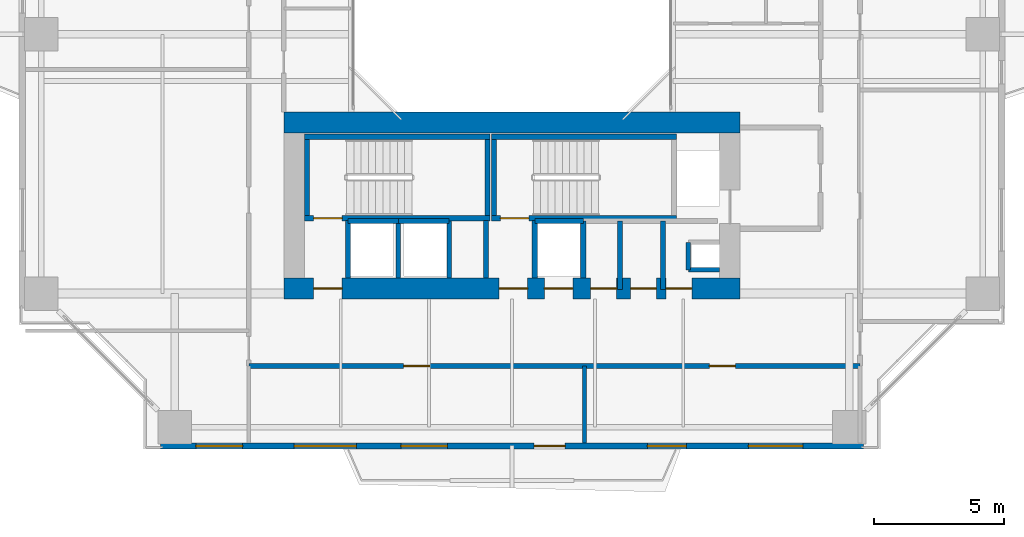
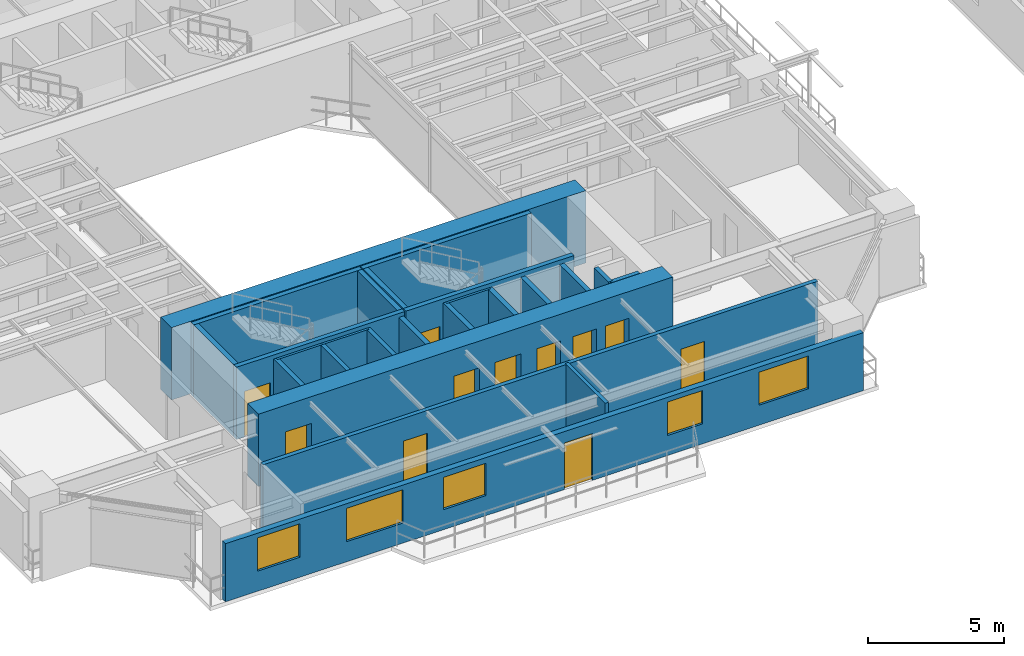
# One storey, part 12 of 23: 25 walls, 11 doors, 5 windows, 16 openings.
"""IFC4 building model written with IfcOpenShell, lengths in metres."""

from ifc_helpers import new_model, si_unit, direction, frame, frame_2d, origin, place, context, subcontext, project, spatial, rectangle, extrude, source, transform, mapped, material, layer, layer_set, type_object, element, fill, save


model = new_model("IFC4")

# Units and contexts
model_context = context("Model", 3, precision=1e-05, world=origin(), true_north=direction((0.0, 1.0)))
body_context = subcontext(model_context, "Body", "Model", "MODEL_VIEW")
ifc_project = project(units=[si_unit("LENGTHUNIT", "METRE"), si_unit("AREAUNIT", "SQUARE_METRE"), si_unit("VOLUMEUNIT", "CUBIC_METRE"), si_unit("PLANEANGLEUNIT", "RADIAN"), si_unit("MASSUNIT", "GRAM", prefix="KILO"), si_unit("THERMODYNAMICTEMPERATUREUNIT", "KELVIN"), si_unit("POWERUNIT", "WATT")], contexts=[model_context])

# Site, building, storey
site_placement = place(None, origin())
site = spatial("IfcSite", under=ifc_project, at=site_placement, CompositionType="ELEMENT")
building_placement = place(site_placement, origin())
building = spatial("IfcBuilding", under=site, at=building_placement, Name="Qiaomeng Ring Towers", CompositionType="ELEMENT")
storey_placement = place(building_placement, frame((0.0, 0.0, 82.75)))
storey = spatial("IfcBuildingStorey", under=building, at=storey_placement, Name="L23", CompositionType="ELEMENT", Elevation=82.75)

# Wall, openings, windows, door
ifc_material_1 = material(Name="Precast concrete C40", Category="concrete")
ifc_layer_1 = layer(ifc_material_1, 0.25, Name="Precast concrete C40")
ifc_layer_set_1 = layer_set([ifc_layer_1], Name="Precast concrete C40")
wall_type_1 = type_object("IfcWallType", Name="ARC-WL-EW1", PredefinedType="STANDARD", material=ifc_layer_set_1)
wall_1_placement = place(storey_placement, frame((5.449951171875, 4.125, 0.0), z_axis=(0.0, 0.0, 1.0), x_axis=(1.0, 0.0, 0.0)))
wall_1 = element("IfcWall", 1, at=wall_1_placement, inside=storey, type_object=wall_type_1, Name="L23 Tower 1 S Exterior Wall", PredefinedType="STANDARD", context=body_context, shape_type="SweptSolid", body=[
    extrude(rectangle(XDim=27.10009765625, YDim=0.25, at=frame_2d((13.550048828125, 0.0))), origin(), (0.0, 0.0, 1.0), 2.610107421875),
])
opening_1_placement = place(wall_1_placement, frame((14.39990234375, 0.0, 0.0)))
opening_1 = element("IfcOpeningElement", 2, at=opening_1_placement, cuts=wall_1, Name="Opening BD1", PredefinedType="OPENING", context=body_context, shape_type="SweptSolid", body=[
    extrude(rectangle(XDim=1.199951171875, YDim=2.10009765625, at=frame_2d((0.60009765625, 1.050048828125))), frame((0.0, 0.135009765625, 0.0), z_axis=(0.0, -1.0, 0.0), x_axis=(1.0, 0.0, 0.0)), (0.0, 0.0, 1.0), 0.27001953125),
])
opening_2_placement = place(wall_1_placement, frame((1.364990234375, 0.0, 0.89990234375)))
opening_2 = element("IfcOpeningElement", 3, at=opening_2_placement, cuts=wall_1, Name="Opening WN1", PredefinedType="OPENING", context=body_context, shape_type="SweptSolid", body=[
    extrude(rectangle(XDim=1.800048828125, YDim=1.5, at=frame_2d((0.89990234375, 0.75))), frame((0.0, 0.135009765625, 0.0), z_axis=(0.0, -1.0, 0.0), x_axis=(1.0, 0.0, 0.0)), (0.0, 0.0, 1.0), 0.27001953125),
])
opening_3_placement = place(wall_1_placement, frame((9.262939453125, 0.0, 0.89990234375)))
opening_3 = element("IfcOpeningElement", 4, at=opening_3_placement, cuts=wall_1, Name="Opening WN1", PredefinedType="OPENING", context=body_context, shape_type="SweptSolid", body=[
    extrude(rectangle(XDim=1.800048828125, YDim=1.449951171875, at=frame_2d((0.89990234375, 0.72509765625))), frame((0.0, 0.135009765625, 0.0), z_axis=(0.0, -1.0, 0.0), x_axis=(1.0, 0.0, 0.0)), (0.0, 0.0, 1.0), 0.27001953125),
])
opening_4_placement = place(wall_1_placement, frame((18.77392578125, 0.0, 0.89990234375)))
opening_4 = element("IfcOpeningElement", 5, at=opening_4_placement, cuts=wall_1, Name="Opening WN2", PredefinedType="OPENING", context=body_context, shape_type="SweptSolid", body=[
    extrude(rectangle(XDim=1.5, YDim=1.5, at=frame_2d((0.75, 0.75))), frame((0.0, 0.135009765625, 0.0), z_axis=(0.0, -1.0, 0.0), x_axis=(1.0, 0.0, 0.0)), (0.0, 0.0, 1.0), 0.27001953125),
])
opening_5_placement = place(wall_1_placement, frame((22.6630859375, 0.0, 0.89990234375)))
opening_5 = element("IfcOpeningElement", 6, at=opening_5_placement, cuts=wall_1, Name="Opening WN4", PredefinedType="OPENING", context=body_context, shape_type="SweptSolid", body=[
    extrude(rectangle(XDim=2.10009765625, YDim=1.47998046875, at=frame_2d((1.050048828125, 0.739990234375))), frame((0.0, 0.135009765625, 0.0), z_axis=(0.0, -1.0, 0.0), x_axis=(1.0, 0.0, 0.0)), (0.0, 0.0, 1.0), 0.27001953125),
])
opening_6_placement = place(wall_1_placement, frame((5.14892578125, 0.0, 0.89990234375)))
opening_6 = element("IfcOpeningElement", 7, at=opening_6_placement, cuts=wall_1, Name="Opening WN6", PredefinedType="OPENING", context=body_context, shape_type="SweptSolid", body=[
    extrude(rectangle(XDim=2.39990234375, YDim=1.5, at=frame_2d((1.199951171875, 0.75))), frame((0.0, 0.135009765625, 0.0), z_axis=(0.0, -1.0, 0.0), x_axis=(1.0, 0.0, 0.0)), (0.0, 0.0, 1.0), 0.27001953125),
])
ifc_material_2 = material(Name="Low-E dark-grey laminated double glazing", Category="glass")
window_type_1 = type_object("IfcWindowType", Name="ARC-WN-4", PartitioningType="TRIPLE_PANEL_VERTICAL", PredefinedType="WINDOW", material=ifc_material_2)
shared_shape_1 = source(origin(), body_context, "Body", "SweptSolid", [
    extrude(rectangle(XDim=2.10009765625, YDim=1.47998046875, at=frame_2d((1.050048828125, 0.739990234375))), frame((0.0, 0.030029296875, 0.0), z_axis=(0.0, -1.0, 0.0), x_axis=(1.0, 0.0, 0.0)), (0.0, 0.0, 1.0), 0.06005859375),
])
window_1_placement = place(opening_5_placement, origin())
window_1 = element("IfcWindow", 8, at=window_1_placement, inside=storey, type_object=window_type_1, Name="L23 Exterior Window WN4", OverallHeight=1.47998046875, OverallWidth=2.10009765625, PartitioningType="TRIPLE_PANEL_VERTICAL", PredefinedType="WINDOW", context=body_context, shape_type="MappedRepresentation", body=[
    mapped(shared_shape_1, transform((0.0, 0.0, 0.0), x_axis=(1.0, 0.0, 0.0), y_axis=(0.0, 1.0, 0.0), z_axis=(0.0, 0.0, 1.0), scale=1.0)),
])
fill(opening_5, window_1)
window_type_2 = type_object("IfcWindowType", Name="ARC-WN-1", PartitioningType="DOUBLE_PANEL_VERTICAL", PredefinedType="WINDOW", material=ifc_material_2)
shared_shape_2 = source(origin(), body_context, "Body", "SweptSolid", [
    extrude(rectangle(XDim=1.800048828125, YDim=1.449951171875, at=frame_2d((0.89990234375, 0.72509765625))), frame((0.0, 0.030029296875, 0.0), z_axis=(0.0, -1.0, 0.0), x_axis=(1.0, 0.0, 0.0)), (0.0, 0.0, 1.0), 0.06005859375),
])
window_2_placement = place(opening_3_placement, origin())
window_2 = element("IfcWindow", 9, at=window_2_placement, inside=storey, type_object=window_type_2, Name="L23 Exterior Window WN1", OverallHeight=1.449951171875, OverallWidth=1.800048828125, PartitioningType="DOUBLE_PANEL_VERTICAL", PredefinedType="WINDOW", context=body_context, shape_type="MappedRepresentation", body=[
    mapped(shared_shape_2, transform((0.0, 0.0, 0.0), x_axis=(1.0, 0.0, 0.0), y_axis=(0.0, 1.0, 0.0), z_axis=(0.0, 0.0, 1.0), scale=1.0)),
])
fill(opening_3, window_2)
door_type_1 = type_object("IfcDoorType", Name="ARC-DR-BD1", OperationType="NOTDEFINED", PredefinedType="DOOR", material=ifc_material_2)
shared_shape_3 = source(origin(), body_context, "Body", "SweptSolid", [
    extrude(rectangle(XDim=1.199951171875, YDim=2.10009765625, at=frame_2d((0.60009765625, 1.050048828125))), frame((0.0, 0.02490234375, 0.0), z_axis=(0.0, -1.0, 0.0), x_axis=(1.0, 0.0, 0.0)), (0.0, 0.0, 1.0), 0.050048828125),
])
door_1_placement = place(opening_1_placement, frame((1.199951171875, 0.0, 0.0), z_axis=(0.0, 0.0, 1.0), x_axis=(-1.0, 0.0, 0.0)))
door_1 = element("IfcDoor", 10, at=door_1_placement, inside=storey, type_object=door_type_1, Name="L23 S Balcony Glazed Door", OperationType="SINGLE_SWING_LEFT", OverallHeight=2.10009765625, OverallWidth=1.199951171875, PredefinedType="DOOR", context=body_context, shape_type="MappedRepresentation", body=[
    mapped(shared_shape_3, transform((0.0, 0.0, 0.0), x_axis=(1.0, 0.0, 0.0), y_axis=(0.0, 1.0, 0.0), z_axis=(0.0, 0.0, 1.0), scale=1.0)),
])
fill(opening_1, door_1)
window_type_3 = type_object("IfcWindowType", Name="ARC-WN-2", PartitioningType="DOUBLE_PANEL_VERTICAL", PredefinedType="WINDOW", material=ifc_material_2)
shared_shape_4 = source(origin(), body_context, "Body", "SweptSolid", [
    extrude(rectangle(XDim=1.5, YDim=1.5, at=frame_2d((0.75, 0.75))), frame((0.0, 0.030029296875, 0.0), z_axis=(0.0, -1.0, 0.0), x_axis=(1.0, 0.0, 0.0)), (0.0, 0.0, 1.0), 0.06005859375),
])
window_3_placement = place(opening_4_placement, origin())
window_3 = element("IfcWindow", 11, at=window_3_placement, inside=storey, type_object=window_type_3, Name="L23 Exterior Window WN2", OverallHeight=1.5, OverallWidth=1.5, PartitioningType="DOUBLE_PANEL_VERTICAL", PredefinedType="WINDOW", context=body_context, shape_type="MappedRepresentation", body=[
    mapped(shared_shape_4, transform((0.0, 0.0, 0.0), x_axis=(1.0, 0.0, 0.0), y_axis=(0.0, 1.0, 0.0), z_axis=(0.0, 0.0, 1.0), scale=1.0)),
])
fill(opening_4, window_3)
window_type_4 = type_object("IfcWindowType", Name="ARC-WN-6", PartitioningType="TRIPLE_PANEL_VERTICAL", PredefinedType="WINDOW", material=ifc_material_2)
shared_shape_5 = source(origin(), body_context, "Body", "SweptSolid", [
    extrude(rectangle(XDim=2.39990234375, YDim=1.5, at=frame_2d((1.199951171875, 0.75))), frame((0.0, 0.030029296875, 0.0), z_axis=(0.0, -1.0, 0.0), x_axis=(1.0, 0.0, 0.0)), (0.0, 0.0, 1.0), 0.06005859375),
])
window_4_placement = place(opening_6_placement, origin())
window_4 = element("IfcWindow", 12, at=window_4_placement, inside=storey, type_object=window_type_4, Name="L23 Exterior Window WN6", OverallHeight=1.5, OverallWidth=2.39990234375, PartitioningType="TRIPLE_PANEL_VERTICAL", PredefinedType="WINDOW", context=body_context, shape_type="MappedRepresentation", body=[
    mapped(shared_shape_5, transform((0.0, 0.0, 0.0), x_axis=(1.0, 0.0, 0.0), y_axis=(0.0, 1.0, 0.0), z_axis=(0.0, 0.0, 1.0), scale=1.0)),
])
fill(opening_6, window_4)
shared_shape_6 = source(origin(), body_context, "Body", "SweptSolid", [
    extrude(rectangle(XDim=1.800048828125, YDim=1.5, at=frame_2d((0.89990234375, 0.75))), frame((0.0, 0.030029296875, 0.0), z_axis=(0.0, -1.0, 0.0), x_axis=(1.0, 0.0, 0.0)), (0.0, 0.0, 1.0), 0.06005859375),
])
window_5_placement = place(opening_2_placement, origin())
window_5 = element("IfcWindow", 13, at=window_5_placement, inside=storey, type_object=window_type_2, Name="L23 Exterior Window WN6", OverallHeight=1.5, OverallWidth=1.800048828125, PartitioningType="TRIPLE_PANEL_VERTICAL", PredefinedType="WINDOW", context=body_context, shape_type="MappedRepresentation", body=[
    mapped(shared_shape_6, transform((0.0, 0.0, 0.0), x_axis=(1.0, 0.0, 0.0), y_axis=(0.0, 1.0, 0.0), z_axis=(0.0, 0.0, 1.0), scale=1.0)),
])
fill(opening_2, window_5)

# Walls
ifc_material_3 = material(Name="Autoclaved aerated concrete block", Category="concrete")
ifc_layer_2 = layer(ifc_material_3, 0.199951171875, Name="Autoclaved aerated concrete block")
ifc_layer_set_2 = layer_set([ifc_layer_2], Name="Autoclaved aerated concrete block")
wall_type_2 = type_object("IfcWallType", Name="ARC-WL-PW1", PredefinedType="PARTITIONING", material=ifc_layer_set_2)
for number, where, z_axis, x_axis, name in (
    (14, (12.679931640625, 10.60009765625, 0.0), (0.0, 0.0, 1.0), (0.0, 1.0, 0.0), "L23 Interior Wall PW1"),
    (15, (18.0, 10.60009765625, 0.0), (0.0, 0.0, 1.0), (0.0, 1.0, 0.0), "L23 Interior Wall PW1"),
    (16, (19.8798828125, 10.60009765625, 0.0), (0.0, 0.0, 1.0), (0.0, 1.0, 0.0), "L23 Interior Wall PW1"),
):
    element("IfcWall", number, at=place(storey_placement, frame(where, z_axis=z_axis, x_axis=x_axis)), inside=storey, type_object=wall_type_2, Name=name, PredefinedType="PARTITIONING", context=body_context, shape_type="SweptSolid", body=[
        extrude(rectangle(XDim=2.2099609375, YDim=0.199951171875, at=frame_2d((1.10498046875, 0.0))), origin(), (0.0, 0.0, 1.0), 3.070068359375),
    ])
wall_2_placement = place(storey_placement, frame((24.820068359375, 10.14990234375, 0.0), z_axis=(0.0, 0.0, 1.0), x_axis=(0.0, 1.0, 0.0)))
element("IfcWall", 17, at=wall_2_placement, inside=storey, type_object=wall_type_2, Name="L23 Interior Wall PW1", PredefinedType="PARTITIONING", context=body_context, shape_type="SweptSolid", body=[
    extrude(rectangle(XDim=2.650146484375, YDim=0.199951171875, at=frame_2d((1.3251953125, 0.0))), origin(), (0.0, 0.0, 1.0), 3.070068359375),
])
wall_3_placement = place(storey_placement, frame((21.75, 10.60009765625, 0.0), z_axis=(0.0, 0.0, 1.0), x_axis=(0.0, 1.0, 0.0)))
element("IfcWall", 18, at=wall_3_placement, inside=storey, type_object=wall_type_2, Name="L23 Interior Wall PW1", PredefinedType="PARTITIONING", context=body_context, shape_type="SweptSolid", body=[
    extrude(rectangle(XDim=2.199951171875, YDim=0.199951171875, at=frame_2d((1.10009765625, 0.0))), origin(), (0.0, 0.0, 1.0), 3.070068359375),
])
wall_4_placement = place(storey_placement, frame((23.169921875, 10.14990234375, 0.0), z_axis=(0.0, 0.0, 1.0), x_axis=(0.0, 1.0, 0.0)))
element("IfcWall", 19, at=wall_4_placement, inside=storey, type_object=wall_type_2, Name="L23 Interior Wall PW1", PredefinedType="PARTITIONING", context=body_context, shape_type="SweptSolid", body=[
    extrude(rectangle(XDim=2.650146484375, YDim=0.199951171875, at=frame_2d((1.3251953125, 0.0))), origin(), (0.0, 0.0, 1.0), 3.070068359375),
])

# Wall, openings, doors
ifc_layer_3 = layer(ifc_material_3, 0.179931640625, Name="Autoclaved aerated concrete block")
ifc_layer_set_3 = layer_set([ifc_layer_3], Name="Autoclaved aerated concrete block")
wall_type_3 = type_object("IfcWallType", Name="ARC-WL-PW2", PredefinedType="PARTITIONING", material=ifc_layer_set_3)
wall_5_placement = place(storey_placement, frame((8.85009765625, 7.2099609375, 0.0), z_axis=(0.0, 0.0, 1.0), x_axis=(1.0, 0.0, 0.0)))
wall_5 = element("IfcWall", 20, at=wall_5_placement, inside=storey, type_object=wall_type_3, Name="L23 Interior Wall PW2", PredefinedType="PARTITIONING", context=body_context, shape_type="SweptSolid", body=[
    extrude(rectangle(XDim=23.56982421875, YDim=0.179931640625, at=frame_2d((11.784912109375, 0.0))), origin(), (0.0, 0.0, 1.0), 3.070068359375),
])
opening_7_placement = place(wall_5_placement, frame((5.97509765625, 0.0, 0.0)))
opening_7 = element("IfcOpeningElement", 21, at=opening_7_placement, cuts=wall_5, Name="Opening FD4", PredefinedType="OPENING", context=body_context, shape_type="SweptSolid", body=[
    extrude(rectangle(XDim=1.0, YDim=2.050048828125, at=frame_2d((0.5, 1.02490234375))), frame((0.0, 0.099853515625, 0.0), z_axis=(0.0, -1.0, 0.0), x_axis=(1.0, 0.0, 0.0)), (0.0, 0.0, 1.0), 0.199951171875),
])
opening_8_placement = place(wall_5_placement, frame((17.760009765625, 0.0, 0.0)))
opening_8 = element("IfcOpeningElement", 22, at=opening_8_placement, cuts=wall_5, Name="Opening FD4", PredefinedType="OPENING", context=body_context, shape_type="SweptSolid", body=[
    extrude(rectangle(XDim=1.0, YDim=2.050048828125, at=frame_2d((0.5, 1.02490234375))), frame((0.0, 0.099853515625, 0.0), z_axis=(0.0, -1.0, 0.0), x_axis=(1.0, 0.0, 0.0)), (0.0, 0.0, 1.0), 0.199951171875),
])
ifc_material_4 = material(Name="Engineered fire-rated oak timber", Category="wood")
door_type_2 = type_object("IfcDoorType", Name="ARC-DR-FD4", OperationType="NOTDEFINED", PredefinedType="DOOR", material=ifc_material_4)
shared_shape_7 = source(origin(), body_context, "Body", "SweptSolid", [
    extrude(rectangle(XDim=1.0, YDim=2.050048828125, at=frame_2d((0.5, 1.02490234375))), frame((0.0, 0.02490234375, 0.0), z_axis=(0.0, -1.0, 0.0), x_axis=(1.0, 0.0, 0.0)), (0.0, 0.0, 1.0), 0.050048828125),
])
door_2_placement = place(opening_7_placement, origin())
door_2 = element("IfcDoor", 23, at=door_2_placement, inside=storey, type_object=door_type_2, Name="L23 Door FD4", OperationType="SINGLE_SWING_LEFT", OverallHeight=2.050048828125, OverallWidth=1.0, PredefinedType="DOOR", context=body_context, shape_type="MappedRepresentation", body=[
    mapped(shared_shape_7, transform((0.0, 0.0, 0.0), x_axis=(1.0, 0.0, 0.0), y_axis=(0.0, 1.0, 0.0), z_axis=(0.0, 0.0, 1.0), scale=1.0)),
])
fill(opening_7, door_2)
door_3_placement = place(opening_8_placement, origin())
door_3 = element("IfcDoor", 24, at=door_3_placement, inside=storey, type_object=door_type_2, Name="L23 Door FD4", OperationType="SINGLE_SWING_RIGHT", OverallHeight=2.050048828125, OverallWidth=1.0, PredefinedType="DOOR", context=body_context, shape_type="MappedRepresentation", body=[
    mapped(shared_shape_7, transform((0.0, 0.0, 0.0), x_axis=(1.0, 0.0, 0.0), y_axis=(0.0, 1.0, 0.0), z_axis=(0.0, 0.0, 1.0), scale=1.0)),
])
fill(opening_8, door_3)

# Walls
ifc_material_5 = material(Name="Gypsum fireboard steel-stud partition", Category="steel")
ifc_layer_4 = layer(ifc_material_5, 0.14990234375, Name="Gypsum fireboard steel-stud partition")
ifc_layer_set_4 = layer_set([ifc_layer_4], Name="Gypsum fireboard steel-stud partition")
wall_type_4 = type_object("IfcWallType", Name="ARC-WL-PW3", PredefinedType="PARTITIONING", material=ifc_layer_set_4)
wall_6_placement = place(storey_placement, frame((21.800048828125, 4.25, 0.0), z_axis=(0.0, 0.0, 1.0), x_axis=(0.0, 1.0, 0.0)))
element("IfcWall", 25, at=wall_6_placement, inside=storey, type_object=wall_type_4, Name="L23 Interior Wall PW3", PredefinedType="PARTITIONING", context=body_context, shape_type="SweptSolid", body=[
    extrude(rectangle(XDim=2.9599609375, YDim=0.14990234375, at=frame_2d((1.47998046875, 0.0))), origin(), (0.0, 0.0, 1.0), 3.070068359375),
])
ifc_material_6 = material(Name="Concrete C40", Category="concrete")
ifc_layer_5 = layer(ifc_material_6, 0.199951171875, Name="Concrete C40")
ifc_layer_set_5 = layer_set([ifc_layer_5], Name="Concrete C40")
wall_type_5 = type_object("IfcWallType", Name="STR-WL-STSHAFT", PredefinedType="SHEAR", material=ifc_layer_set_5)
wall_7_placement = place(storey_placement, frame((12.679931640625, 12.800048828125, 0.0), z_axis=(0.0, 0.0, 1.0), x_axis=(1.0, 0.0, 0.0)))
element("IfcWall", 26, at=wall_7_placement, inside=storey, type_object=wall_type_5, Name="L23 Lift LP6 Shaft Back Wall", PredefinedType="SHEAR", context=body_context, shape_type="SweptSolid", body=[
    extrude(rectangle(XDim=1.940185546875, YDim=0.179931640625, at=frame_2d((0.97021484375, 0.0))), origin(), (0.0, 0.0, 1.0), 3.070068359375),
])
wall_8_placement = place(storey_placement, frame((14.6201171875, 10.60009765625, 0.0), z_axis=(0.0, 0.0, 1.0), x_axis=(0.0, 1.0, 0.0)))
element("IfcWall", 27, at=wall_8_placement, inside=storey, type_object=wall_type_5, Name="L23 Lift LP6-LP4 Shaft Divider Wall", PredefinedType="SHEAR", context=body_context, shape_type="SweptSolid", body=[
    extrude(rectangle(XDim=2.199951171875, YDim=0.179931640625, at=frame_2d((1.10009765625, 0.0))), origin(), (0.0, 0.0, 1.0), 3.070068359375),
])
wall_9_placement = place(storey_placement, frame((25.800048828125, 10.919921875, 0.0), z_axis=(0.0, 0.0, 1.0), x_axis=(0.0, 1.0, 0.0)))
element("IfcWall", 28, at=wall_9_placement, inside=storey, type_object=wall_type_5, Name="L23 Riser RSR1 West Shaft Wall S", PredefinedType="SHEAR", context=body_context, shape_type="SweptSolid", body=[
    extrude(rectangle(XDim=1.06005859375, YDim=0.179931640625, at=frame_2d((0.530029296875, 0.0))), origin(), (0.0, 0.0, 1.0), 3.070068359375),
])
wall_10_placement = place(storey_placement, frame((25.800048828125, 10.919921875, 0.0), z_axis=(0.0, 0.0, 1.0), x_axis=(1.0, 0.0, 0.0)))
element("IfcWall", 29, at=wall_10_placement, inside=storey, type_object=wall_type_5, Name="L23 Riser RSR1 South Shaft Wall S", PredefinedType="SHEAR", context=body_context, shape_type="SweptSolid", body=[
    extrude(rectangle(XDim=1.199951171875, YDim=0.179931640625, at=frame_2d((0.60009765625, 0.0))), origin(), (0.0, 0.0, 1.0), 3.070068359375),
])
wall_11_placement = place(storey_placement, frame((14.6201171875, 12.800048828125, 0.0), z_axis=(0.0, 0.0, 1.0), x_axis=(1.0, 0.0, 0.0)))
element("IfcWall", 30, at=wall_11_placement, inside=storey, type_object=wall_type_5, Name="L23 Lift LP4 Shaft Back Wall", PredefinedType="SHEAR", context=body_context, shape_type="SweptSolid", body=[
    extrude(rectangle(XDim=1.9599609375, YDim=0.179931640625, at=frame_2d((0.97998046875, 0.0))), origin(), (0.0, 0.0, 1.0), 3.070068359375),
])
wall_12_placement = place(storey_placement, frame((16.580078125, 10.60009765625, 0.0), z_axis=(0.0, 0.0, 1.0), x_axis=(0.0, 1.0, 0.0)))
element("IfcWall", 31, at=wall_12_placement, inside=storey, type_object=wall_type_5, Name="L23 Lift LP4 East Shaft Wall", PredefinedType="SHEAR", context=body_context, shape_type="SweptSolid", body=[
    extrude(rectangle(XDim=2.199951171875, YDim=0.179931640625, at=frame_2d((1.10009765625, 0.0))), origin(), (0.0, 0.0, 1.0), 3.070068359375),
])
wall_13_placement = place(storey_placement, frame((19.8798828125, 12.800048828125, 0.0), z_axis=(0.0, 0.0, 1.0), x_axis=(1.0, 0.0, 0.0)))
element("IfcWall", 32, at=wall_13_placement, inside=storey, type_object=wall_type_5, Name="L23 Lift LP2 Shaft Back Wall", PredefinedType="SHEAR", context=body_context, shape_type="SweptSolid", body=[
    extrude(rectangle(XDim=1.8701171875, YDim=0.179931640625, at=frame_2d((0.93505859375, 0.0))), origin(), (0.0, 0.0, 1.0), 3.070068359375),
])

# Wall, opening, door
wall_14_placement = place(storey_placement, frame((11.0, 12.909912109375, 0.0), z_axis=(0.0, 0.0, 1.0), x_axis=(1.0, 0.0, 0.0)))
wall_14 = element("IfcWall", 33, at=wall_14_placement, inside=storey, type_object=wall_type_5, Name="L23 Stair ST3 South Shaft Shear Wall", PredefinedType="SHEAR", context=body_context, shape_type="SweptSolid", body=[
    extrude(rectangle(XDim=7.14990234375, YDim=0.199951171875, at=frame_2d((3.574951171875, 0.0))), origin(), (0.0, 0.0, 1.0), 3.25),
])
opening_9_placement = place(wall_14_placement, frame((0.35009765625, 0.0, 0.0)))
opening_9 = element("IfcOpeningElement", 34, at=opening_9_placement, cuts=wall_14, Name="Opening FD3", PredefinedType="OPENING", context=body_context, shape_type="SweptSolid", body=[
    extrude(rectangle(XDim=1.10009765625, YDim=2.050048828125, at=frame_2d((0.550048828125, 1.02490234375))), frame((0.0, 0.10986328125, 0.0), z_axis=(0.0, -1.0, 0.0), x_axis=(1.0, 0.0, 0.0)), (0.0, 0.0, 1.0), 0.219970703125),
])
ifc_material_7 = material(Name="Galvanised steel", Category="steel")
door_type_3 = type_object("IfcDoorType", Name="ARC-DR-FD3", OperationType="NOTDEFINED", PredefinedType="DOOR", material=ifc_material_7)
shared_shape_8 = source(origin(), body_context, "Body", "SweptSolid", [
    extrude(rectangle(XDim=1.10009765625, YDim=2.050048828125, at=frame_2d((0.550048828125, 1.02490234375))), frame((0.0, 0.02490234375, 0.0), z_axis=(0.0, -1.0, 0.0), x_axis=(1.0, 0.0, 0.0)), (0.0, 0.0, 1.0), 0.050048828125),
])
door_4_placement = place(opening_9_placement, frame((1.10009765625, 0.0, 0.0), z_axis=(0.0, 0.0, 1.0), x_axis=(-1.0, 0.0, 0.0)))
door_4 = element("IfcDoor", 35, at=door_4_placement, inside=storey, type_object=door_type_3, Name="L23 Stair ST3 Exit Door", OperationType="SINGLE_SWING_RIGHT", OverallHeight=2.050048828125, OverallWidth=1.10009765625, PredefinedType="DOOR", context=body_context, shape_type="MappedRepresentation", body=[
    mapped(shared_shape_8, transform((0.0, 0.0, 0.0), x_axis=(1.0, 0.0, 0.0), y_axis=(0.0, 1.0, 0.0), z_axis=(0.0, 0.0, 1.0), scale=1.0)),
])
fill(opening_9, door_4)

# Walls
wall_15_placement = place(storey_placement, frame((11.0, 16.050048828125, 0.0), z_axis=(0.0, 0.0, 1.0), x_axis=(1.0, 0.0, 0.0)))
element("IfcWall", 36, at=wall_15_placement, inside=storey, type_object=wall_type_5, Name="L23 Stair ST3 North Shaft Shear Wall", PredefinedType="SHEAR", context=body_context, shape_type="SweptSolid", body=[
    extrude(rectangle(XDim=7.14990234375, YDim=0.199951171875, at=frame_2d((3.574951171875, 0.0))), origin(), (0.0, 0.0, 1.0), 3.25),
])
for number, where, z_axis, x_axis, name in (
    (37, (11.10009765625, 13.010009765625, 0.0), (0.0, 0.0, 1.0), (0.0, 1.0, 0.0), "L23 Stair ST3 West Shaft Shear Wall"),
    (38, (18.050048828125, 13.010009765625, 0.0), (0.0, 0.0, 1.0), (0.0, 1.0, 0.0), "L23 Stair ST3 East Shaft Shear Wall"),
):
    element("IfcWall", number, at=place(storey_placement, frame(where, z_axis=z_axis, x_axis=x_axis)), inside=storey, type_object=wall_type_5, Name=name, PredefinedType="SHEAR", context=body_context, shape_type="SweptSolid", body=[
        extrude(rectangle(XDim=2.93994140625, YDim=0.199951171875, at=frame_2d((1.469970703125, 0.0))), origin(), (0.0, 0.0, 1.0), 3.25),
    ])

# Wall, opening, door
wall_16_placement = place(storey_placement, frame((18.199951171875, 12.909912109375, 0.0), z_axis=(0.0, 0.0, 1.0), x_axis=(1.0, 0.0, 0.0)))
wall_16 = element("IfcWall", 39, at=wall_16_placement, inside=storey, type_object=wall_type_5, Name="L23 Stair ST4 South Shaft Shear Wall", PredefinedType="SHEAR", context=body_context, shape_type="SweptSolid", body=[
    extrude(rectangle(XDim=7.150146484375, YDim=0.199951171875, at=frame_2d((3.5751953125, 0.0))), origin(), (0.0, 0.0, 1.0), 3.25),
])
opening_10_placement = place(wall_16_placement, frame((0.35009765625, 0.0, 0.0)))
opening_10 = element("IfcOpeningElement", 40, at=opening_10_placement, cuts=wall_16, Name="Opening FD3", PredefinedType="OPENING", context=body_context, shape_type="SweptSolid", body=[
    extrude(rectangle(XDim=1.10009765625, YDim=2.050048828125, at=frame_2d((0.550048828125, 1.02490234375))), frame((0.0, 0.10986328125, 0.0), z_axis=(0.0, -1.0, 0.0), x_axis=(1.0, 0.0, 0.0)), (0.0, 0.0, 1.0), 0.219970703125),
])
door_5_placement = place(opening_10_placement, frame((1.10009765625, 0.0, 0.0), z_axis=(0.0, 0.0, 1.0), x_axis=(-1.0, 0.0, 0.0)))
door_5 = element("IfcDoor", 41, at=door_5_placement, inside=storey, type_object=door_type_3, Name="L23 Stair ST4 Exit Door", OperationType="SINGLE_SWING_RIGHT", OverallHeight=2.050048828125, OverallWidth=1.10009765625, PredefinedType="DOOR", context=body_context, shape_type="MappedRepresentation", body=[
    mapped(shared_shape_8, transform((0.0, 0.0, 0.0), x_axis=(1.0, 0.0, 0.0), y_axis=(0.0, 1.0, 0.0), z_axis=(0.0, 0.0, 1.0), scale=1.0)),
])
fill(opening_10, door_5)

# Walls
wall_17_placement = place(storey_placement, frame((18.199951171875, 16.050048828125, 0.0), z_axis=(0.0, 0.0, 1.0), x_axis=(1.0, 0.0, 0.0)))
element("IfcWall", 42, at=wall_17_placement, inside=storey, type_object=wall_type_5, Name="L23 Stair ST4 North Shaft Shear Wall", PredefinedType="SHEAR", context=body_context, shape_type="SweptSolid", body=[
    extrude(rectangle(XDim=7.150146484375, YDim=0.199951171875, at=frame_2d((3.5751953125, 0.0))), origin(), (0.0, 0.0, 1.0), 3.25),
])
wall_18_placement = place(storey_placement, frame((18.300048828125, 13.010009765625, 0.0), z_axis=(0.0, 0.0, 1.0), x_axis=(0.0, 1.0, 0.0)))
element("IfcWall", 43, at=wall_18_placement, inside=storey, type_object=wall_type_5, Name="L23 Stair ST4 West Shaft Shear Wall", PredefinedType="SHEAR", context=body_context, shape_type="SweptSolid", body=[
    extrude(rectangle(XDim=2.93994140625, YDim=0.199951171875, at=frame_2d((1.469970703125, 0.0))), origin(), (0.0, 0.0, 1.0), 3.25),
])

# Wall, openings, doors
ifc_material_8 = material(Name="Concrete C60", Category="concrete")
ifc_layer_6 = layer(ifc_material_8, 0.800048828125, Name="Concrete C60")
ifc_layer_set_6 = layer_set([ifc_layer_6], Name="Concrete C60")
wall_type_6 = type_object("IfcWallType", Name="STR-WL-SW1", PredefinedType="SHEAR", material=ifc_layer_set_6)
wall_19_placement = place(storey_placement, frame((10.199951171875, 10.199951171875, 0.0), z_axis=(0.0, 0.0, 1.0), x_axis=(1.0, 0.0, 0.0)))
wall_19 = element("IfcWall", 44, at=wall_19_placement, inside=storey, type_object=wall_type_6, Name="L23 T1SC south core shear wall", PredefinedType="SHEAR", context=body_context, shape_type="SweptSolid", body=[
    extrude(rectangle(XDim=17.60009765625, YDim=0.800048828125, at=frame_2d((8.800048828125, 0.0))), origin(), (0.0, 0.0, 1.0), 3.25),
])
opening_11_placement = place(wall_19_placement, frame((1.14990234375, 0.0, 0.0)))
opening_11 = element("IfcOpeningElement", 45, at=opening_11_placement, cuts=wall_19, Name="Opening FD3", PredefinedType="OPENING", context=body_context, shape_type="SweptSolid", body=[
    extrude(rectangle(XDim=1.10009765625, YDim=2.050048828125, at=frame_2d((0.550048828125, 1.02490234375))), frame((0.0, 0.409912109375, 0.0), z_axis=(0.0, -1.0, 0.0), x_axis=(1.0, 0.0, 0.0)), (0.0, 0.0, 1.0), 0.820068359375),
])
opening_12_placement = place(wall_19_placement, frame((8.300048828125, 0.0, 0.0)))
opening_12 = element("IfcOpeningElement", 46, at=opening_12_placement, cuts=wall_19, Name="Opening FD3", PredefinedType="OPENING", context=body_context, shape_type="SweptSolid", body=[
    extrude(rectangle(XDim=1.10009765625, YDim=2.050048828125, at=frame_2d((0.550048828125, 1.02490234375))), frame((0.0, 0.409912109375, 0.0), z_axis=(0.0, -1.0, 0.0), x_axis=(1.0, 0.0, 0.0)), (0.0, 0.0, 1.0), 0.820068359375),
])
opening_13_placement = place(wall_19_placement, frame((10.050048828125, 0.0, 0.0)))
opening_13 = element("IfcOpeningElement", 47, at=opening_13_placement, cuts=wall_19, Name="Opening LD1", PredefinedType="OPENING", context=body_context, shape_type="SweptSolid", body=[
    extrude(rectangle(XDim=1.10009765625, YDim=2.050048828125, at=frame_2d((0.550048828125, 1.02490234375))), frame((0.0, 0.409912109375, 0.0), z_axis=(0.0, -1.0, 0.0), x_axis=(1.0, 0.0, 0.0)), (0.0, 0.0, 1.0), 0.820068359375),
])
opening_14_placement = place(wall_19_placement, frame((14.739990234375, 0.0, 0.0)))
opening_14 = element("IfcOpeningElement", 48, at=opening_14_placement, cuts=wall_19, Name="Opening FD1", PredefinedType="OPENING", context=body_context, shape_type="SweptSolid", body=[
    extrude(rectangle(XDim=1.0, YDim=2.050048828125, at=frame_2d((0.5, 1.02490234375))), frame((0.0, 0.409912109375, 0.0), z_axis=(0.0, -1.0, 0.0), x_axis=(1.0, 0.0, 0.0)), (0.0, 0.0, 1.0), 0.820068359375),
])
opening_15_placement = place(wall_19_placement, frame((11.8349609375, 0.0, 0.0)))
opening_15 = element("IfcOpeningElement", 49, at=opening_15_placement, cuts=wall_19, Name="Opening FD1", PredefinedType="OPENING", context=body_context, shape_type="SweptSolid", body=[
    extrude(rectangle(XDim=1.0, YDim=2.050048828125, at=frame_2d((0.5, 1.02490234375))), frame((0.0, 0.409912109375, 0.0), z_axis=(0.0, -1.0, 0.0), x_axis=(1.0, 0.0, 0.0)), (0.0, 0.0, 1.0), 0.820068359375),
])
opening_16_placement = place(wall_19_placement, frame((13.3701171875, 0.0, 0.0)))
opening_16 = element("IfcOpeningElement", 50, at=opening_16_placement, cuts=wall_19, Name="Opening FD1", PredefinedType="OPENING", context=body_context, shape_type="SweptSolid", body=[
    extrude(rectangle(XDim=1.0, YDim=2.050048828125, at=frame_2d((0.5, 1.02490234375))), frame((0.0, 0.409912109375, 0.0), z_axis=(0.0, -1.0, 0.0), x_axis=(1.0, 0.0, 0.0)), (0.0, 0.0, 1.0), 0.820068359375),
])
door_6_placement = place(opening_11_placement, origin())
door_6 = element("IfcDoor", 51, at=door_6_placement, inside=storey, type_object=door_type_3, Name="L23 Stair ST3 Lobby Door", OperationType="SINGLE_SWING_LEFT", OverallHeight=2.050048828125, OverallWidth=1.10009765625, PredefinedType="DOOR", context=body_context, shape_type="MappedRepresentation", body=[
    mapped(shared_shape_8, transform((0.0, 0.0, 0.0), x_axis=(1.0, 0.0, 0.0), y_axis=(0.0, 1.0, 0.0), z_axis=(0.0, 0.0, 1.0), scale=1.0)),
])
fill(opening_11, door_6)
door_7_placement = place(opening_12_placement, origin())
door_7 = element("IfcDoor", 52, at=door_7_placement, inside=storey, type_object=door_type_3, Name="L23 Stair ST4 Lobby Door", OperationType="SINGLE_SWING_LEFT", OverallHeight=2.050048828125, OverallWidth=1.10009765625, PredefinedType="DOOR", context=body_context, shape_type="MappedRepresentation", body=[
    mapped(shared_shape_8, transform((0.0, 0.0, 0.0), x_axis=(1.0, 0.0, 0.0), y_axis=(0.0, 1.0, 0.0), z_axis=(0.0, 0.0, 1.0), scale=1.0)),
])
fill(opening_12, door_7)
ifc_material_9 = material(Name="Stainless steel 316", Category="steel")
door_type_4 = type_object("IfcDoorType", Name="ARC-DR-LD1", OperationType="NOTDEFINED", PredefinedType="DOOR", material=ifc_material_9)
door_8_placement = place(opening_13_placement, origin())
door_8 = element("IfcDoor", 53, at=door_8_placement, inside=storey, type_object=door_type_4, Name="L23 Low-Zone Lift LP2 Landing Door", OperationType="SLIDING_TO_RIGHT", OverallHeight=2.050048828125, OverallWidth=1.10009765625, PredefinedType="DOOR", context=body_context, shape_type="MappedRepresentation", body=[
    mapped(shared_shape_8, transform((0.0, 0.0, 0.0), x_axis=(1.0, 0.0, 0.0), y_axis=(0.0, 1.0, 0.0), z_axis=(0.0, 0.0, 1.0), scale=1.0)),
])
fill(opening_13, door_8)
door_type_5 = type_object("IfcDoorType", Name="ARC-DR-FD1", OperationType="NOTDEFINED", PredefinedType="DOOR", material=ifc_material_7)
door_9_placement = place(opening_14_placement, origin())
door_9 = element("IfcDoor", 54, at=door_9_placement, inside=storey, type_object=door_type_5, Name="L23 South Electrical Riser Door", OperationType="SINGLE_SWING_RIGHT", OverallHeight=2.050048828125, OverallWidth=1.0, PredefinedType="DOOR", context=body_context, shape_type="MappedRepresentation", body=[
    mapped(shared_shape_7, transform((0.0, 0.0, 0.0), x_axis=(1.0, 0.0, 0.0), y_axis=(0.0, 1.0, 0.0), z_axis=(0.0, 0.0, 1.0), scale=1.0)),
])
fill(opening_14, door_9)
door_10_placement = place(opening_15_placement, origin())
door_10 = element("IfcDoor", 55, at=door_10_placement, inside=storey, type_object=door_type_5, Name="L23 South Cleaners Cupboard Door", OperationType="SINGLE_SWING_LEFT", OverallHeight=2.050048828125, OverallWidth=1.0, PredefinedType="DOOR", context=body_context, shape_type="MappedRepresentation", body=[
    mapped(shared_shape_7, transform((0.0, 0.0, 0.0), x_axis=(1.0, 0.0, 0.0), y_axis=(0.0, 1.0, 0.0), z_axis=(0.0, 0.0, 1.0), scale=1.0)),
])
fill(opening_15, door_10)
door_11_placement = place(opening_16_placement, origin())
door_11 = element("IfcDoor", 56, at=door_11_placement, inside=storey, type_object=door_type_5, Name="L23 South Tea Pantry Door", OperationType="SINGLE_SWING_RIGHT", OverallHeight=2.050048828125, OverallWidth=1.0, PredefinedType="DOOR", context=body_context, shape_type="MappedRepresentation", body=[
    mapped(shared_shape_7, transform((0.0, 0.0, 0.0), x_axis=(1.0, 0.0, 0.0), y_axis=(0.0, 1.0, 0.0), z_axis=(0.0, 0.0, 1.0), scale=1.0)),
])
fill(opening_16, door_11)

# Wall
wall_20_placement = place(storey_placement, frame((10.199951171875, 16.60009765625, 0.0), z_axis=(0.0, 0.0, 1.0), x_axis=(1.0, 0.0, 0.0)))
element("IfcWall", 57, at=wall_20_placement, inside=storey, type_object=wall_type_6, Name="L23 T1SC north core shear wall", PredefinedType="SHEAR", context=body_context, shape_type="SweptSolid", body=[
    extrude(rectangle(XDim=17.60009765625, YDim=0.800048828125, at=frame_2d((8.800048828125, 0.0))), origin(), (0.0, 0.0, 1.0), 3.25),
])

save(model, "model.ifc")
